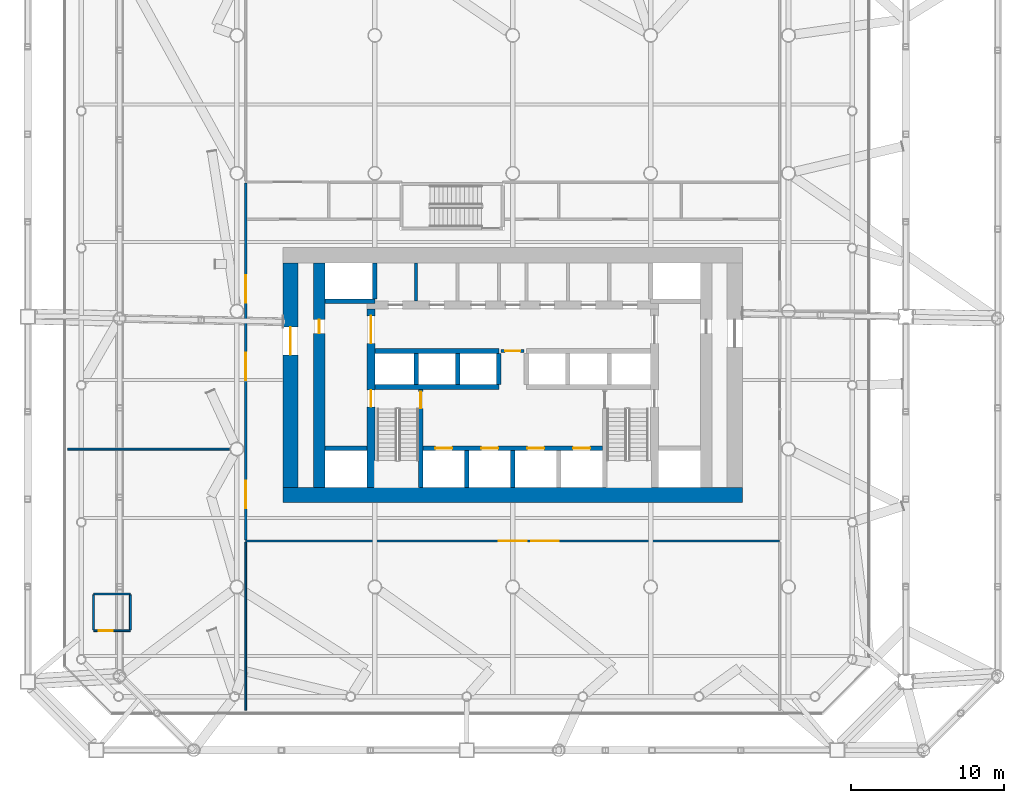
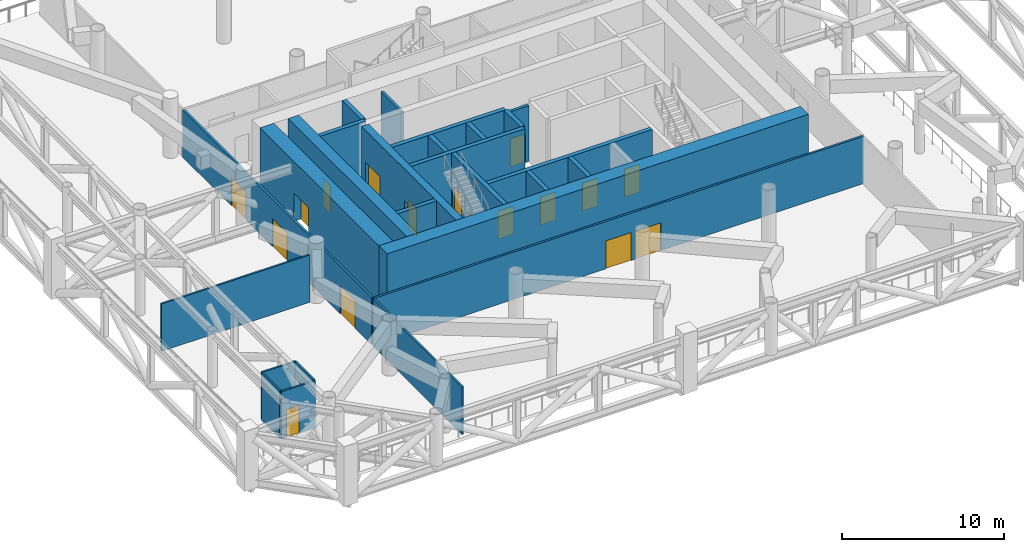
# One storey, part 14 of 22: 26 walls, 16 doors, 16 openings.
"""IFC4 building model written with IfcOpenShell, lengths in metres."""

from ifc_helpers import new_model, si_unit, direction, frame, frame_2d, origin, place, context, subcontext, project, spatial, rectangle, extrude, material, layer, layer_set, type_object, element, fill, save


model = new_model("IFC4")

# Units and contexts
model_context = context("Model", 3, precision=1e-05, world=origin(), true_north=direction((0.0, 1.0)))
body_context = subcontext(model_context, "Body", "Model", "MODEL_VIEW")
ifc_project = project(units=[si_unit("LENGTHUNIT", "METRE"), si_unit("AREAUNIT", "SQUARE_METRE"), si_unit("VOLUMEUNIT", "CUBIC_METRE"), si_unit("PLANEANGLEUNIT", "RADIAN"), si_unit("MASSUNIT", "GRAM", prefix="KILO")], contexts=[model_context])

# Site, building, storey
site_placement = place(None, origin())
site = spatial("IfcSite", under=ifc_project, at=site_placement, CompositionType="ELEMENT")
building_placement = place(site_placement, origin())
building = spatial("IfcBuilding", under=site, at=building_placement, Name="Tskaro Facet Tower", CompositionType="ELEMENT")
storey_placement = place(building_placement, frame((0.0, 0.0, 57.60009765625)))
storey = spatial("IfcBuildingStorey", under=building, at=storey_placement, Name="L13", CompositionType="ELEMENT", Elevation=57.60009765625)

# Wall
ifc_material_1 = material(Name="Concrete C60/75", Category="concrete")
ifc_layer_1 = layer(ifc_material_1, 0.300048828125, Name="Concrete C60/75")
ifc_layer_set_1 = layer_set([ifc_layer_1], Name="Concrete C60/75")
wall_type_1 = type_object("IfcWallType", Name="CORE-SHAFT", PredefinedType="SHEAR", material=ifc_layer_set_1)
wall_1_placement = place(storey_placement, frame((-12.25, -8.949951171875, 0.0), z_axis=(0.0, 0.0, 1.0), x_axis=(1.0, 0.0, 0.0)))
element("IfcWall", 1, at=wall_1_placement, inside=storey, type_object=wall_type_1, Name="Shaft wall W005", PredefinedType="SHEAR", context=body_context, shape_type="SweptSolid", body=[
    extrude(rectangle(XDim=2.75, YDim=0.300048828125, at=frame_2d((1.375, 0.0))), origin(), (0.0, 0.0, 1.0), 4.5),
])

# Wall, openings, doors
wall_2_placement = place(storey_placement, frame((-5.85009765625, -8.949951171875, 0.0), z_axis=(0.0, 0.0, 1.0), x_axis=(1.0, 0.0, 0.0)))
wall_2 = element("IfcWall", 2, at=wall_2_placement, inside=storey, type_object=wall_type_1, Name="Shaft wall W006", PredefinedType="SHEAR", context=body_context, shape_type="SweptSolid", body=[
    extrude(rectangle(XDim=11.7001953125, YDim=0.300048828125, at=frame_2d((5.85009765625, 0.0))), origin(), (0.0, 0.0, 1.0), 4.5),
])
opening_1_placement = place(wall_2_placement, frame((0.800048828125, 0.0, 0.0)))
opening_1 = element("IfcOpeningElement", 3, at=opening_1_placement, cuts=wall_2, Name="Opening LD-FF1", PredefinedType="OPENING", context=body_context, shape_type="SweptSolid", body=[
    extrude(rectangle(XDim=1.10009765625, YDim=2.10009765625, at=frame_2d((0.550048828125, 1.050048828125))), frame((0.0, 0.159912109375, 0.0), z_axis=(0.0, -1.0, 0.0), x_axis=(1.0, 0.0, 0.0)), (0.0, 0.0, 1.0), 0.320068359375),
])
opening_2_placement = place(wall_2_placement, frame((3.800048828125, 0.0, 0.0)))
opening_2 = element("IfcOpeningElement", 4, at=opening_2_placement, cuts=wall_2, Name="Opening LD-FF2", PredefinedType="OPENING", context=body_context, shape_type="SweptSolid", body=[
    extrude(rectangle(XDim=1.10009765625, YDim=2.10009765625, at=frame_2d((0.550048828125, 1.050048828125))), frame((0.0, 0.159912109375, 0.0), z_axis=(0.0, -1.0, 0.0), x_axis=(1.0, 0.0, 0.0)), (0.0, 0.0, 1.0), 0.320068359375),
])
opening_3_placement = place(wall_2_placement, frame((6.800048828125, 0.0, 0.0)))
opening_3 = element("IfcOpeningElement", 5, at=opening_3_placement, cuts=wall_2, Name="Opening LD-SV1", PredefinedType="OPENING", context=body_context, shape_type="SweptSolid", body=[
    extrude(rectangle(XDim=1.10009765625, YDim=2.10009765625, at=frame_2d((0.550048828125, 1.050048828125))), frame((0.0, 0.159912109375, 0.0), z_axis=(0.0, -1.0, 0.0), x_axis=(1.0, 0.0, 0.0)), (0.0, 0.0, 1.0), 0.320068359375),
])
opening_4_placement = place(wall_2_placement, frame((9.800048828125, 0.0, 0.0)))
opening_4 = element("IfcOpeningElement", 6, at=opening_4_placement, cuts=wall_2, Name="Opening LD-SV2", PredefinedType="OPENING", context=body_context, shape_type="SweptSolid", body=[
    extrude(rectangle(XDim=1.10009765625, YDim=2.10009765625, at=frame_2d((0.550048828125, 1.050048828125))), frame((0.0, 0.159912109375, 0.0), z_axis=(0.0, -1.0, 0.0), x_axis=(1.0, 0.0, 0.0)), (0.0, 0.0, 1.0), 0.320068359375),
])
ifc_material_2 = material(Name="Stainless steel", Category="steel")
door_type_1 = type_object("IfcDoorType", Name="D-LANDING", OperationType="NOTDEFINED", PredefinedType="DOOR", material=ifc_material_2)
door_1_placement = place(opening_1_placement, origin())
door_1 = element("IfcDoor", 7, at=door_1_placement, inside=storey, type_object=door_type_1, Name="Landing door FF1", OperationType="DOUBLE_DOOR_SLIDING", OverallHeight=2.10009765625, OverallWidth=1.10009765625, PredefinedType="DOOR", context=body_context, shape_type="SweptSolid", body=[
    extrude(rectangle(XDim=1.10009765625, YDim=2.10009765625, at=frame_2d((0.550048828125, 1.050048828125))), frame((0.0, 0.02490234375, 0.0), z_axis=(0.0, -1.0, 0.0), x_axis=(1.0, 0.0, 0.0)), (0.0, 0.0, 1.0), 0.050048828125),
])
fill(opening_1, door_1)
door_2_placement = place(opening_2_placement, origin())
door_2 = element("IfcDoor", 8, at=door_2_placement, inside=storey, type_object=door_type_1, Name="Landing door FF2", OperationType="DOUBLE_DOOR_SLIDING", OverallHeight=2.10009765625, OverallWidth=1.10009765625, PredefinedType="DOOR", context=body_context, shape_type="SweptSolid", body=[
    extrude(rectangle(XDim=1.10009765625, YDim=2.10009765625, at=frame_2d((0.550048828125, 1.050048828125))), frame((0.0, 0.02490234375, 0.0), z_axis=(0.0, -1.0, 0.0), x_axis=(1.0, 0.0, 0.0)), (0.0, 0.0, 1.0), 0.050048828125),
])
fill(opening_2, door_2)
door_3_placement = place(opening_3_placement, origin())
door_3 = element("IfcDoor", 9, at=door_3_placement, inside=storey, type_object=door_type_1, Name="Landing door SV1", OperationType="DOUBLE_DOOR_SLIDING", OverallHeight=2.10009765625, OverallWidth=1.10009765625, PredefinedType="DOOR", context=body_context, shape_type="SweptSolid", body=[
    extrude(rectangle(XDim=1.10009765625, YDim=2.10009765625, at=frame_2d((0.550048828125, 1.050048828125))), frame((0.0, 0.02490234375, 0.0), z_axis=(0.0, -1.0, 0.0), x_axis=(1.0, 0.0, 0.0)), (0.0, 0.0, 1.0), 0.050048828125),
])
fill(opening_3, door_3)
door_4_placement = place(opening_4_placement, origin())
door_4 = element("IfcDoor", 10, at=door_4_placement, inside=storey, type_object=door_type_1, Name="Landing door SV2", OperationType="DOUBLE_DOOR_SLIDING", OverallHeight=2.10009765625, OverallWidth=1.10009765625, PredefinedType="DOOR", context=body_context, shape_type="SweptSolid", body=[
    extrude(rectangle(XDim=1.10009765625, YDim=2.10009765625, at=frame_2d((0.550048828125, 1.050048828125))), frame((0.0, 0.02490234375, 0.0), z_axis=(0.0, -1.0, 0.0), x_axis=(1.0, 0.0, 0.0)), (0.0, 0.0, 1.0), 0.050048828125),
])
fill(opening_4, door_4)

# Walls
for number, where, z_axis, x_axis, name in (
    (11, (-9.0, -4.949951171875, 0.0), (0.0, 0.0, 1.0), (1.0, 0.0, 0.0), "Shaft wall W008"),
    (12, (-9.0, -2.60009765625, 0.0), (0.0, 0.0, 1.0), (1.0, 0.0, 0.0), "Shaft wall W010"),
):
    element("IfcWall", number, at=place(storey_placement, frame(where, z_axis=z_axis, x_axis=x_axis)), inside=storey, type_object=wall_type_1, Name=name, PredefinedType="SHEAR", context=body_context, shape_type="SweptSolid", body=[
        extrude(rectangle(XDim=8.10009765625, YDim=0.300048828125, at=frame_2d((4.050048828125, 0.0))), origin(), (0.0, 0.0, 1.0), 4.5),
    ])
wall_3_placement = place(storey_placement, frame((-9.0, 0.64990234375, 0.0), z_axis=(0.0, 0.0, 1.0), x_axis=(-1.0, 0.0, 0.0)))
element("IfcWall", 13, at=wall_3_placement, inside=storey, type_object=wall_type_1, Name="Shaft wall W014", PredefinedType="SHEAR", context=body_context, shape_type="SweptSolid", body=[
    extrude(rectangle(XDim=3.25, YDim=0.300048828125, at=frame_2d((1.625, 0.0))), origin(), (0.0, 0.0, 1.0), 4.5),
])
wall_4_placement = place(storey_placement, frame((-9.0, 0.800048828125, 0.0), z_axis=(0.0, 0.0, 1.0), x_axis=(0.0, 1.0, 0.0)))
element("IfcWall", 14, at=wall_4_placement, inside=storey, type_object=wall_type_1, Name="Shaft wall W029", PredefinedType="SHEAR", context=body_context, shape_type="SweptSolid", body=[
    extrude(rectangle(XDim=2.349853515625, YDim=0.300048828125, at=frame_2d((1.1748046875, 0.0))), origin(), (0.0, 0.0, 1.0), 4.5),
])
wall_5_placement = place(storey_placement, frame((-6.300048828125, -4.800048828125, 0.0), z_axis=(0.0, 0.0, 1.0), x_axis=(0.0, 1.0, 0.0)))
element("IfcWall", 15, at=wall_5_placement, inside=storey, type_object=wall_type_1, Name="Shaft wall W031", PredefinedType="SHEAR", context=body_context, shape_type="SweptSolid", body=[
    extrude(rectangle(XDim=2.050048828125, YDim=0.300048828125, at=frame_2d((1.02490234375, 0.0))), origin(), (0.0, 0.0, 1.0), 4.5),
])

# Wall, opening, door
wall_6_placement = place(storey_placement, frame((-6.0, -11.5, 0.0), z_axis=(0.0, 0.0, 1.0), x_axis=(0.0, 1.0, 0.0)))
wall_6 = element("IfcWall", 16, at=wall_6_placement, inside=storey, type_object=wall_type_1, Name="Shaft wall W033", PredefinedType="SHEAR", context=body_context, shape_type="SweptSolid", body=[
    extrude(rectangle(XDim=6.39990234375, YDim=0.300048828125, at=frame_2d((3.199951171875, 0.0))), origin(), (0.0, 0.0, 1.0), 4.5),
])
opening_5_placement = place(wall_6_placement, frame((5.14990234375, 0.0, 0.0)))
opening_5 = element("IfcOpeningElement", 17, at=opening_5_placement, cuts=wall_6, Name="Opening ST-1-D1", PredefinedType="OPENING", context=body_context, shape_type="SweptSolid", body=[
    extrude(rectangle(XDim=1.10009765625, YDim=2.10009765625, at=frame_2d((0.550048828125, 1.050048828125))), frame((0.0, 0.159912109375, 0.0), z_axis=(0.0, -1.0, 0.0), x_axis=(1.0, 0.0, 0.0)), (0.0, 0.0, 1.0), 0.320068359375),
])
ifc_material_3 = material(Name="Steel", Category="steel")
door_type_2 = type_object("IfcDoorType", Name="D-STAIR", OperationType="NOTDEFINED", PredefinedType="DOOR", material=ifc_material_3)
door_5_placement = place(opening_5_placement, origin())
door_5 = element("IfcDoor", 18, at=door_5_placement, inside=storey, type_object=door_type_2, Name="Stair door 1", OperationType="SINGLE_SWING_LEFT", OverallHeight=2.10009765625, OverallWidth=1.10009765625, PredefinedType="DOOR", context=body_context, shape_type="SweptSolid", body=[
    extrude(rectangle(XDim=1.10009765625, YDim=2.10009765625, at=frame_2d((0.550048828125, 1.050048828125))), frame((0.0, 0.02490234375, 0.0), z_axis=(0.0, -1.0, 0.0), x_axis=(1.0, 0.0, 0.0)), (0.0, 0.0, 1.0), 0.050048828125),
])
fill(opening_5, door_5)

# Walls
wall_7_placement = place(storey_placement, frame((-3.60009765625, -4.800048828125, 0.0), z_axis=(0.0, 0.0, 1.0), x_axis=(0.0, 1.0, 0.0)))
element("IfcWall", 19, at=wall_7_placement, inside=storey, type_object=wall_type_1, Name="Shaft wall W034", PredefinedType="SHEAR", context=body_context, shape_type="SweptSolid", body=[
    extrude(rectangle(XDim=2.050048828125, YDim=0.300048828125, at=frame_2d((1.02490234375, 0.0))), origin(), (0.0, 0.0, 1.0), 4.5),
])
wall_8_placement = place(storey_placement, frame((-3.0, -11.5, 0.0), z_axis=(0.0, 0.0, 1.0), x_axis=(0.0, 1.0, 0.0)))
element("IfcWall", 20, at=wall_8_placement, inside=storey, type_object=wall_type_1, Name="Shaft wall W036", PredefinedType="SHEAR", context=body_context, shape_type="SweptSolid", body=[
    extrude(rectangle(XDim=2.39990234375, YDim=0.300048828125, at=frame_2d((1.199951171875, 0.0))), origin(), (0.0, 0.0, 1.0), 4.5),
])
wall_9_placement = place(storey_placement, frame((-0.89990234375, -4.800048828125, 0.0), z_axis=(0.0, 0.0, 1.0), x_axis=(0.0, 1.0, 0.0)))
element("IfcWall", 21, at=wall_9_placement, inside=storey, type_object=wall_type_1, Name="Shaft wall W037", PredefinedType="SHEAR", context=body_context, shape_type="SweptSolid", body=[
    extrude(rectangle(XDim=2.050048828125, YDim=0.300048828125, at=frame_2d((1.02490234375, 0.0))), origin(), (0.0, 0.0, 1.0), 4.5),
])
wall_10_placement = place(storey_placement, frame((0.0, -11.5, 0.0), z_axis=(0.0, 0.0, 1.0), x_axis=(0.0, 1.0, 0.0)))
element("IfcWall", 22, at=wall_10_placement, inside=storey, type_object=wall_type_1, Name="Shaft wall W040", PredefinedType="SHEAR", context=body_context, shape_type="SweptSolid", body=[
    extrude(rectangle(XDim=2.39990234375, YDim=0.300048828125, at=frame_2d((1.199951171875, 0.0))), origin(), (0.0, 0.0, 1.0), 4.5),
])

# Wall, opening, door
ifc_material_4 = material(Name="Concrete C20/25", Category="concrete")
ifc_layer_2 = layer(ifc_material_4, 0.199951171875, Name="Concrete C20/25")
ifc_layer_set_2 = layer_set([ifc_layer_2], Name="Concrete C20/25")
wall_type_2 = type_object("IfcWallType", Name="CORE-WALL", PredefinedType="SOLIDWALL", material=ifc_layer_set_2)
wall_11_placement = place(storey_placement, frame((0.75, -2.60009765625, 0.0), z_axis=(0.0, 0.0, 1.0), x_axis=(-1.0, 0.0, 0.0)))
wall_11 = element("IfcWall", 23, at=wall_11_placement, inside=storey, type_object=wall_type_2, Name="Core room wall W011", PredefinedType="SOLIDWALL", context=body_context, shape_type="SweptSolid", body=[
    extrude(rectangle(XDim=1.5, YDim=0.199951171875, at=frame_2d((0.75, 0.0))), origin(), (0.0, 0.0, 1.0), 4.199951171875),
])
opening_6_placement = place(wall_11_placement, frame((0.25, 0.0, 0.0)))
opening_6 = element("IfcOpeningElement", 24, at=opening_6_placement, cuts=wall_11, Name="Opening FL-D1", PredefinedType="OPENING", context=body_context, shape_type="SweptSolid", body=[
    extrude(rectangle(XDim=1.0, YDim=2.10009765625, at=frame_2d((0.5, 1.050048828125))), frame((0.0, 0.10986328125, 0.0), z_axis=(0.0, -1.0, 0.0), x_axis=(1.0, 0.0, 0.0)), (0.0, 0.0, 1.0), 0.219970703125),
])
door_type_3 = type_object("IfcDoorType", Name="D-LOBBY", OperationType="NOTDEFINED", PredefinedType="DOOR", material=ifc_material_3)
door_6_placement = place(opening_6_placement, origin())
door_6 = element("IfcDoor", 25, at=door_6_placement, inside=storey, type_object=door_type_3, Name="Lobby door FL", OperationType="SINGLE_SWING_RIGHT", OverallHeight=2.10009765625, OverallWidth=1.0, PredefinedType="DOOR", context=body_context, shape_type="SweptSolid", body=[
    extrude(rectangle(XDim=1.0, YDim=2.10009765625, at=frame_2d((0.5, 1.050048828125))), frame((0.0, 0.02490234375, 0.0), z_axis=(0.0, -1.0, 0.0), x_axis=(1.0, 0.0, 0.0)), (0.0, 0.0, 1.0), 0.050048828125),
])
fill(opening_6, door_6)

# Walls
wall_12_placement = place(storey_placement, frame((-6.300048828125, 0.64990234375, 0.0), z_axis=(0.0, 0.0, 1.0), x_axis=(0.0, 1.0, 0.0)))
element("IfcWall", 26, at=wall_12_placement, inside=storey, type_object=wall_type_2, Name="Core room wall W032", PredefinedType="SOLIDWALL", context=body_context, shape_type="SweptSolid", body=[
    extrude(rectangle(XDim=2.5, YDim=0.199951171875, at=frame_2d((1.25, 0.0))), origin(), (0.0, 0.0, 1.0), 4.199951171875),
])
ifc_layer_3 = layer(ifc_material_1, 1.0, Name="Concrete C60/75")
ifc_layer_set_3 = layer_set([ifc_layer_3], Name="Concrete C60/75")
wall_type_3 = type_object("IfcWallType", Name="Core wall 1000", PredefinedType="SHEAR", material=ifc_layer_set_3)
wall_13_placement = place(storey_placement, frame((-15.0, -12.0, 0.0), z_axis=(0.0, 0.0, 1.0), x_axis=(1.0, 0.0, 0.0)))
element("IfcWall", 27, at=wall_13_placement, inside=storey, type_object=wall_type_3, Name="Core wall CW-Z1S", PredefinedType="SHEAR", context=body_context, shape_type="SweptSolid", body=[
    extrude(rectangle(XDim=30.0, YDim=1.0, at=frame_2d((15.0, 0.0))), origin(), (0.0, 0.0, 1.0), 4.5),
])

# Wall, opening, door
wall_14_placement = place(storey_placement, frame((-14.5, -11.5, 0.0), z_axis=(0.0, 0.0, 1.0), x_axis=(0.0, 1.0, 0.0)))
wall_14 = element("IfcWall", 28, at=wall_14_placement, inside=storey, type_object=wall_type_3, Name="Core wall CW-Z1W", PredefinedType="SHEAR", context=body_context, shape_type="SweptSolid", body=[
    extrude(rectangle(XDim=14.64990234375, YDim=1.0, at=frame_2d((7.324951171875, 0.0))), origin(), (0.0, 0.0, 1.0), 4.5),
])
opening_7_placement = place(wall_14_placement, frame((8.64990234375, 0.0, 0.0)))
opening_7 = element("IfcOpeningElement", 29, at=opening_7_placement, cuts=wall_14, Name="Opening R13-D13", PredefinedType="OPENING", context=body_context, shape_type="SweptSolid", body=[
    extrude(rectangle(XDim=1.800048828125, YDim=2.10009765625, at=frame_2d((0.89990234375, 1.050048828125))), frame((0.0, 0.510009765625, 0.0), z_axis=(0.0, -1.0, 0.0), x_axis=(1.0, 0.0, 0.0)), (0.0, 0.0, 1.0), 1.02001953125),
])
door_type_4 = type_object("IfcDoorType", Name="D-CORE-PAIR", OperationType="NOTDEFINED", PredefinedType="DOOR", material=ifc_material_3)
door_7_placement = place(opening_7_placement, origin())
door_7 = element("IfcDoor", 30, at=door_7_placement, inside=storey, type_object=door_type_4, Name="Door R13-D13", OperationType="DOUBLE_DOOR_SINGLE_SWING", OverallHeight=2.10009765625, OverallWidth=1.800048828125, PredefinedType="DOOR", context=body_context, shape_type="SweptSolid", body=[
    extrude(rectangle(XDim=1.800048828125, YDim=2.10009765625, at=frame_2d((0.89990234375, 1.050048828125))), frame((0.0, 0.02490234375, 0.0), z_axis=(0.0, -1.0, 0.0), x_axis=(1.0, 0.0, 0.0)), (0.0, 0.0, 1.0), 0.050048828125),
])
fill(opening_7, door_7)

# Wall, openings, doors
ifc_material_5 = material(Name="Concrete C40/50", Category="concrete")
ifc_layer_4 = layer(ifc_material_5, 0.5, Name="Concrete C40/50")
ifc_layer_set_4 = layer_set([ifc_layer_4], Name="Concrete C40/50")
wall_type_4 = type_object("IfcWallType", Name="Core wall 500", PredefinedType="SHEAR", material=ifc_layer_set_4)
wall_15_placement = place(storey_placement, frame((-9.25, -11.5, 0.0), z_axis=(0.0, 0.0, 1.0), x_axis=(0.0, 1.0, 0.0)))
wall_15 = element("IfcWall", 31, at=wall_15_placement, inside=storey, type_object=wall_type_4, Name="Core wall CW-Z3W", PredefinedType="SHEAR", context=body_context, shape_type="SweptSolid", body=[
    extrude(rectangle(XDim=11.64990234375, YDim=0.5, at=frame_2d((5.824951171875, 0.0))), origin(), (0.0, 0.0, 1.0), 4.5),
])
opening_8_placement = place(wall_15_placement, frame((9.39990234375, 0.0, 0.0)))
opening_8 = element("IfcOpeningElement", 32, at=opening_8_placement, cuts=wall_15, Name="Opening R13-D11", PredefinedType="OPENING", context=body_context, shape_type="SweptSolid", body=[
    extrude(rectangle(XDim=1.800048828125, YDim=2.10009765625, at=frame_2d((0.89990234375, 1.050048828125))), frame((0.0, 0.260009765625, 0.0), z_axis=(0.0, -1.0, 0.0), x_axis=(1.0, 0.0, 0.0)), (0.0, 0.0, 1.0), 0.52001953125),
])
opening_9_placement = place(wall_15_placement, frame((5.25, 0.0, 0.0)))
opening_9 = element("IfcOpeningElement", 33, at=opening_9_placement, cuts=wall_15, Name="Opening ST-1-D2", PredefinedType="OPENING", context=body_context, shape_type="SweptSolid", body=[
    extrude(rectangle(XDim=1.10009765625, YDim=2.10009765625, at=frame_2d((0.550048828125, 1.050048828125))), frame((0.0, 0.260009765625, 0.0), z_axis=(0.0, -1.0, 0.0), x_axis=(1.0, 0.0, 0.0)), (0.0, 0.0, 1.0), 0.52001953125),
])
door_8_placement = place(opening_8_placement, origin())
door_8 = element("IfcDoor", 34, at=door_8_placement, inside=storey, type_object=door_type_4, Name="Door R13-D11", OperationType="DOUBLE_DOOR_SINGLE_SWING", OverallHeight=2.10009765625, OverallWidth=1.800048828125, PredefinedType="DOOR", context=body_context, shape_type="SweptSolid", body=[
    extrude(rectangle(XDim=1.800048828125, YDim=2.10009765625, at=frame_2d((0.89990234375, 1.050048828125))), frame((0.0, 0.02490234375, 0.0), z_axis=(0.0, -1.0, 0.0), x_axis=(1.0, 0.0, 0.0)), (0.0, 0.0, 1.0), 0.050048828125),
])
fill(opening_8, door_8)
door_9_placement = place(opening_9_placement, origin())
door_9 = element("IfcDoor", 35, at=door_9_placement, inside=storey, type_object=door_type_2, Name="Stair door 1 west", OperationType="SINGLE_SWING_LEFT", OverallHeight=2.10009765625, OverallWidth=1.10009765625, PredefinedType="DOOR", context=body_context, shape_type="SweptSolid", body=[
    extrude(rectangle(XDim=1.10009765625, YDim=2.10009765625, at=frame_2d((0.550048828125, 1.050048828125))), frame((0.0, 0.02490234375, 0.0), z_axis=(0.0, -1.0, 0.0), x_axis=(1.0, 0.0, 0.0)), (0.0, 0.0, 1.0), 0.050048828125),
])
fill(opening_9, door_9)

# Wall, opening, door
ifc_material_6 = material(Name="Concrete C50/60", Category="concrete")
ifc_layer_5 = layer(ifc_material_6, 0.75, Name="Concrete C50/60")
ifc_layer_set_5 = layer_set([ifc_layer_5], Name="Concrete C50/60")
wall_type_5 = type_object("IfcWallType", Name="Core wall 750", PredefinedType="SHEAR", material=ifc_layer_set_5)
wall_16_placement = place(storey_placement, frame((-12.625, -11.5, 0.0), z_axis=(0.0, 0.0, 1.0), x_axis=(0.0, 1.0, 0.0)))
wall_16 = element("IfcWall", 36, at=wall_16_placement, inside=storey, type_object=wall_type_5, Name="Core wall CW-Z2W", PredefinedType="SHEAR", context=body_context, shape_type="SweptSolid", body=[
    extrude(rectangle(XDim=14.64990234375, YDim=0.75, at=frame_2d((7.324951171875, 0.0))), origin(), (0.0, 0.0, 1.0), 4.5),
])
opening_10_placement = place(wall_16_placement, frame((10.050048828125, 0.0, 0.0)))
opening_10 = element("IfcOpeningElement", 37, at=opening_10_placement, cuts=wall_16, Name="Opening R13-D14", PredefinedType="OPENING", context=body_context, shape_type="SweptSolid", body=[
    extrude(rectangle(XDim=0.89990234375, YDim=2.10009765625, at=frame_2d((0.449951171875, 1.050048828125))), frame((0.0, 0.385009765625, 0.0), z_axis=(0.0, -1.0, 0.0), x_axis=(1.0, 0.0, 0.0)), (0.0, 0.0, 1.0), 0.77001953125),
])
ifc_material_7 = material(Name="Timber", Category="wood")
door_type_5 = type_object("IfcDoorType", Name="D-ROOM", OperationType="NOTDEFINED", PredefinedType="DOOR", material=ifc_material_7)
door_10_placement = place(opening_10_placement, origin())
door_10 = element("IfcDoor", 38, at=door_10_placement, inside=storey, type_object=door_type_5, Name="Door R13-D14", OperationType="SINGLE_SWING_LEFT", OverallHeight=2.10009765625, OverallWidth=0.89990234375, PredefinedType="DOOR", context=body_context, shape_type="SweptSolid", body=[
    extrude(rectangle(XDim=0.89990234375, YDim=2.10009765625, at=frame_2d((0.449951171875, 1.050048828125))), frame((0.0, 0.02490234375, 0.0), z_axis=(0.0, -1.0, 0.0), x_axis=(1.0, 0.0, 0.0)), (0.0, 0.0, 1.0), 0.050048828125),
])
fill(opening_10, door_10)

ifc_material_8 = material(Name="Gypsum board on steel studs", Category="steel")
ifc_layer_6 = layer(ifc_material_8, 0.125, Name="Gypsum board on steel studs")
ifc_layer_set_6 = layer_set([ifc_layer_6], Name="Gypsum board on steel studs")
wall_type_6 = type_object("IfcWallType", Name="PART", PredefinedType="PARTITIONING", material=ifc_layer_set_6)
wall_17_placement = place(storey_placement, frame((-27.360107421875, -20.860107421875, 0.0), z_axis=(0.0, 0.0, 1.0), x_axis=(1.0, 0.0, 0.0)))
wall_17 = element("IfcWall", 39, at=wall_17_placement, inside=storey, type_object=wall_type_6, Name="Partition W001", PredefinedType="PARTITIONING", context=body_context, shape_type="SweptSolid", body=[
    extrude(rectangle(XDim=2.400146484375, YDim=0.125, at=frame_2d((1.2001953125, 0.0))), origin(), (0.0, 0.0, 1.0), 3.559814453125),
])
opening_11_placement = place(wall_17_placement, frame((0.35009765625, 0.0, 0.0)))
opening_11 = element("IfcOpeningElement", 40, at=opening_11_placement, cuts=wall_17, Name="Opening R13-D01", PredefinedType="OPENING", context=body_context, shape_type="SweptSolid", body=[
    extrude(rectangle(XDim=0.89990234375, YDim=2.10009765625, at=frame_2d((0.449951171875, 1.050048828125))), frame((0.0, 0.072509765625, 0.0), z_axis=(0.0, -1.0, 0.0), x_axis=(1.0, 0.0, 0.0)), (0.0, 0.0, 1.0), 0.14501953125),
])
door_11_placement = place(opening_11_placement, origin())
door_11 = element("IfcDoor", 41, at=door_11_placement, inside=storey, type_object=door_type_5, Name="Door R13-D01", OperationType="SINGLE_SWING_LEFT", OverallHeight=2.10009765625, OverallWidth=0.89990234375, PredefinedType="DOOR", context=body_context, shape_type="SweptSolid", body=[
    extrude(rectangle(XDim=0.89990234375, YDim=2.10009765625, at=frame_2d((0.449951171875, 1.050048828125))), frame((0.0, 0.02490234375, 0.0), z_axis=(0.0, -1.0, 0.0), x_axis=(1.0, 0.0, 0.0)), (0.0, 0.0, 1.0), 0.050048828125),
])
fill(opening_11, door_11)

# Walls
wall_18_placement = place(storey_placement, frame((-27.360107421875, -18.4599609375, 0.0), z_axis=(0.0, 0.0, 1.0), x_axis=(1.0, 0.0, 0.0)))
element("IfcWall", 42, at=wall_18_placement, inside=storey, type_object=wall_type_6, Name="Partition W002", PredefinedType="PARTITIONING", context=body_context, shape_type="SweptSolid", body=[
    extrude(rectangle(XDim=2.400146484375, YDim=0.125, at=frame_2d((1.2001953125, 0.0))), origin(), (0.0, 0.0, 1.0), 3.559814453125),
])
wall_19_placement = place(storey_placement, frame((-29.056884765625, -9.0, 0.0), z_axis=(0.0, 0.0, 1.0), x_axis=(1.0, 0.0, 0.0)))
element("IfcWall", 43, at=wall_19_placement, inside=storey, type_object=wall_type_6, Name="Partition W004", PredefinedType="PARTITIONING", context=body_context, shape_type="SweptSolid", body=[
    extrude(rectangle(XDim=10.556884765625, YDim=0.125, at=frame_2d((5.2783203125, 0.0))), origin(), (0.0, 0.0, 1.0), 3.559814453125),
])
for number, where, z_axis, x_axis, name in (
    (44, (-27.360107421875, -20.797607421875, 0.0), (0.0, 0.0, 1.0), (0.0, 1.0, 0.0), "Partition W023"),
    (45, (-24.9599609375, -20.797607421875, 0.0), (0.0, 0.0, 1.0), (0.0, 1.0, 0.0), "Partition W024"),
):
    element("IfcWall", number, at=place(storey_placement, frame(where, z_axis=z_axis, x_axis=x_axis)), inside=storey, type_object=wall_type_6, Name=name, PredefinedType="PARTITIONING", context=body_context, shape_type="SweptSolid", body=[
        extrude(rectangle(XDim=2.275146484375, YDim=0.125, at=frame_2d((1.1376953125, 0.0))), origin(), (0.0, 0.0, 1.0), 3.559814453125),
    ])
wall_20_placement = place(storey_placement, frame((-17.425048828125, -26.056884765625, 0.0), z_axis=(0.0, 0.0, 1.0), x_axis=(0.0, 1.0, 0.0)))
element("IfcWall", 46, at=wall_20_placement, inside=storey, type_object=wall_type_6, Name="Partition W025", PredefinedType="PARTITIONING", context=body_context, shape_type="SweptSolid", body=[
    extrude(rectangle(XDim=10.98193359375, YDim=0.125, at=frame_2d((5.490966796875, 0.0))), origin(), (0.0, 0.0, 1.0), 3.559814453125),
])

# Wall, openings, doors
ifc_layer_7 = layer(ifc_material_8, 0.14990234375, Name="Gypsum board on steel studs")
ifc_layer_set_7 = layer_set([ifc_layer_7], Name="Gypsum board on steel studs")
wall_type_7 = type_object("IfcWallType", Name="PART-CORR", PredefinedType="PARTITIONING", material=ifc_layer_set_7)
wall_21_placement = place(storey_placement, frame((-17.425048828125, -15.0, 0.0), z_axis=(0.0, 0.0, 1.0), x_axis=(1.0, 0.0, 0.0)))
wall_21 = element("IfcWall", 47, at=wall_21_placement, inside=storey, type_object=wall_type_7, Name="Corridor wall W003", PredefinedType="PARTITIONING", context=body_context, shape_type="SweptSolid", body=[
    extrude(rectangle(XDim=34.85009765625, YDim=0.14990234375, at=frame_2d((17.425048828125, 0.0))), origin(), (0.0, 0.0, 1.0), 3.559814453125),
])
opening_12_placement = place(wall_21_placement, frame((16.52490234375, 0.0, 0.0)))
opening_12 = element("IfcOpeningElement", 48, at=opening_12_placement, cuts=wall_21, Name="Opening R13-D02", PredefinedType="OPENING", context=body_context, shape_type="SweptSolid", body=[
    extrude(rectangle(XDim=1.800048828125, YDim=2.10009765625, at=frame_2d((0.89990234375, 1.050048828125))), frame((0.0, 0.0849609375, 0.0), z_axis=(0.0, -1.0, 0.0), x_axis=(1.0, 0.0, 0.0)), (0.0, 0.0, 1.0), 0.169921875),
])
opening_13_placement = place(wall_21_placement, frame((18.625, 0.0, 0.0)))
opening_13 = element("IfcOpeningElement", 49, at=opening_13_placement, cuts=wall_21, Name="Opening R13-D03", PredefinedType="OPENING", context=body_context, shape_type="SweptSolid", body=[
    extrude(rectangle(XDim=1.800048828125, YDim=2.10009765625, at=frame_2d((0.89990234375, 1.050048828125))), frame((0.0, 0.0849609375, 0.0), z_axis=(0.0, -1.0, 0.0), x_axis=(1.0, 0.0, 0.0)), (0.0, 0.0, 1.0), 0.169921875),
])
ifc_material_9 = material(Name="Glass", Category="glass")
door_type_6 = type_object("IfcDoorType", Name="D-ENTRY-PAIR", OperationType="NOTDEFINED", PredefinedType="DOOR", material=ifc_material_9)
door_12_placement = place(opening_12_placement, origin())
door_12 = element("IfcDoor", 50, at=door_12_placement, inside=storey, type_object=door_type_6, Name="Door R13-D02", OperationType="DOUBLE_DOOR_SINGLE_SWING", OverallHeight=2.10009765625, OverallWidth=1.800048828125, PredefinedType="DOOR", context=body_context, shape_type="SweptSolid", body=[
    extrude(rectangle(XDim=1.800048828125, YDim=2.10009765625, at=frame_2d((0.89990234375, 1.050048828125))), frame((0.0, 0.02490234375, 0.0), z_axis=(0.0, -1.0, 0.0), x_axis=(1.0, 0.0, 0.0)), (0.0, 0.0, 1.0), 0.050048828125),
])
fill(opening_12, door_12)
door_13_placement = place(opening_13_placement, origin())
door_13 = element("IfcDoor", 51, at=door_13_placement, inside=storey, type_object=door_type_6, Name="Door R13-D03", OperationType="DOUBLE_DOOR_SINGLE_SWING", OverallHeight=2.10009765625, OverallWidth=1.800048828125, PredefinedType="DOOR", context=body_context, shape_type="SweptSolid", body=[
    extrude(rectangle(XDim=1.800048828125, YDim=2.10009765625, at=frame_2d((0.89990234375, 1.050048828125))), frame((0.0, 0.02490234375, 0.0), z_axis=(0.0, -1.0, 0.0), x_axis=(1.0, 0.0, 0.0)), (0.0, 0.0, 1.0), 0.050048828125),
])
fill(opening_13, door_13)

wall_22_placement = place(storey_placement, frame((-17.425048828125, 8.35009765625, 0.0), z_axis=(0.0, 0.0, 1.0), x_axis=(0.0, -1.0, 0.0)))
wall_22 = element("IfcWall", 52, at=wall_22_placement, inside=storey, type_object=wall_type_7, Name="Corridor wall W026", PredefinedType="PARTITIONING", context=body_context, shape_type="SweptSolid", body=[
    extrude(rectangle(XDim=23.275146484375, YDim=0.14990234375, at=frame_2d((11.6376953125, 0.0))), origin(), (0.0, 0.0, 1.0), 3.559814453125),
])
opening_14_placement = place(wall_22_placement, frame((19.41259765625, 0.0, 0.0)))
opening_14 = element("IfcOpeningElement", 53, at=opening_14_placement, cuts=wall_22, Name="Opening R13-D04", PredefinedType="OPENING", context=body_context, shape_type="SweptSolid", body=[
    extrude(rectangle(XDim=1.800048828125, YDim=2.10009765625, at=frame_2d((0.89990234375, 1.050048828125))), frame((0.0, 0.0849609375, 0.0), z_axis=(0.0, -1.0, 0.0), x_axis=(1.0, 0.0, 0.0)), (0.0, 0.0, 1.0), 0.169921875),
])
opening_15_placement = place(wall_22_placement, frame((11.050048828125, 0.0, 0.0)))
opening_15 = element("IfcOpeningElement", 54, at=opening_15_placement, cuts=wall_22, Name="Opening R13-D09", PredefinedType="OPENING", context=body_context, shape_type="SweptSolid", body=[
    extrude(rectangle(XDim=1.800048828125, YDim=2.10009765625, at=frame_2d((0.89990234375, 1.050048828125))), frame((0.0, 0.0849609375, 0.0), z_axis=(0.0, -1.0, 0.0), x_axis=(1.0, 0.0, 0.0)), (0.0, 0.0, 1.0), 0.169921875),
])
opening_16_placement = place(wall_22_placement, frame((6.0, 0.0, 0.0)))
opening_16 = element("IfcOpeningElement", 55, at=opening_16_placement, cuts=wall_22, Name="Opening R13-D10", PredefinedType="OPENING", context=body_context, shape_type="SweptSolid", body=[
    extrude(rectangle(XDim=1.800048828125, YDim=2.10009765625, at=frame_2d((0.89990234375, 1.050048828125))), frame((0.0, 0.0849609375, 0.0), z_axis=(0.0, -1.0, 0.0), x_axis=(1.0, 0.0, 0.0)), (0.0, 0.0, 1.0), 0.169921875),
])
door_14_placement = place(opening_14_placement, origin())
door_14 = element("IfcDoor", 56, at=door_14_placement, inside=storey, type_object=door_type_6, Name="Door R13-D04", OperationType="DOUBLE_DOOR_SINGLE_SWING", OverallHeight=2.10009765625, OverallWidth=1.800048828125, PredefinedType="DOOR", context=body_context, shape_type="SweptSolid", body=[
    extrude(rectangle(XDim=1.800048828125, YDim=2.10009765625, at=frame_2d((0.89990234375, 1.050048828125))), frame((0.0, 0.02490234375, 0.0), z_axis=(0.0, -1.0, 0.0), x_axis=(1.0, 0.0, 0.0)), (0.0, 0.0, 1.0), 0.050048828125),
])
fill(opening_14, door_14)
door_15_placement = place(opening_15_placement, origin())
door_15 = element("IfcDoor", 57, at=door_15_placement, inside=storey, type_object=door_type_6, Name="Door R13-D09", OperationType="DOUBLE_DOOR_SINGLE_SWING", OverallHeight=2.10009765625, OverallWidth=1.800048828125, PredefinedType="DOOR", context=body_context, shape_type="SweptSolid", body=[
    extrude(rectangle(XDim=1.800048828125, YDim=2.10009765625, at=frame_2d((0.89990234375, 1.050048828125))), frame((0.0, 0.02490234375, 0.0), z_axis=(0.0, -1.0, 0.0), x_axis=(1.0, 0.0, 0.0)), (0.0, 0.0, 1.0), 0.050048828125),
])
fill(opening_15, door_15)
door_16_placement = place(opening_16_placement, origin())
door_16 = element("IfcDoor", 58, at=door_16_placement, inside=storey, type_object=door_type_6, Name="Door R13-D10", OperationType="DOUBLE_DOOR_SINGLE_SWING", OverallHeight=2.10009765625, OverallWidth=1.800048828125, PredefinedType="DOOR", context=body_context, shape_type="SweptSolid", body=[
    extrude(rectangle(XDim=1.800048828125, YDim=2.10009765625, at=frame_2d((0.89990234375, 1.050048828125))), frame((0.0, 0.02490234375, 0.0), z_axis=(0.0, -1.0, 0.0), x_axis=(1.0, 0.0, 0.0)), (0.0, 0.0, 1.0), 0.050048828125),
])
fill(opening_16, door_16)

save(model, "model.ifc")
